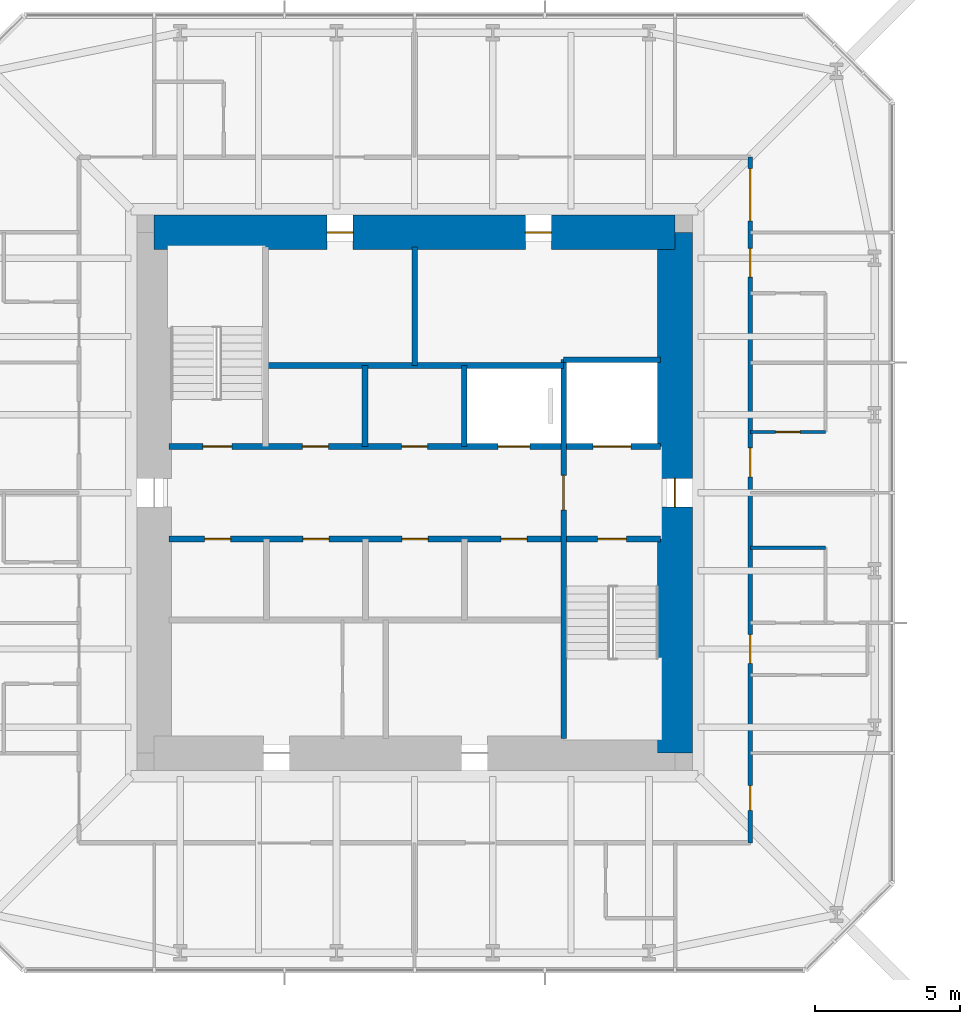
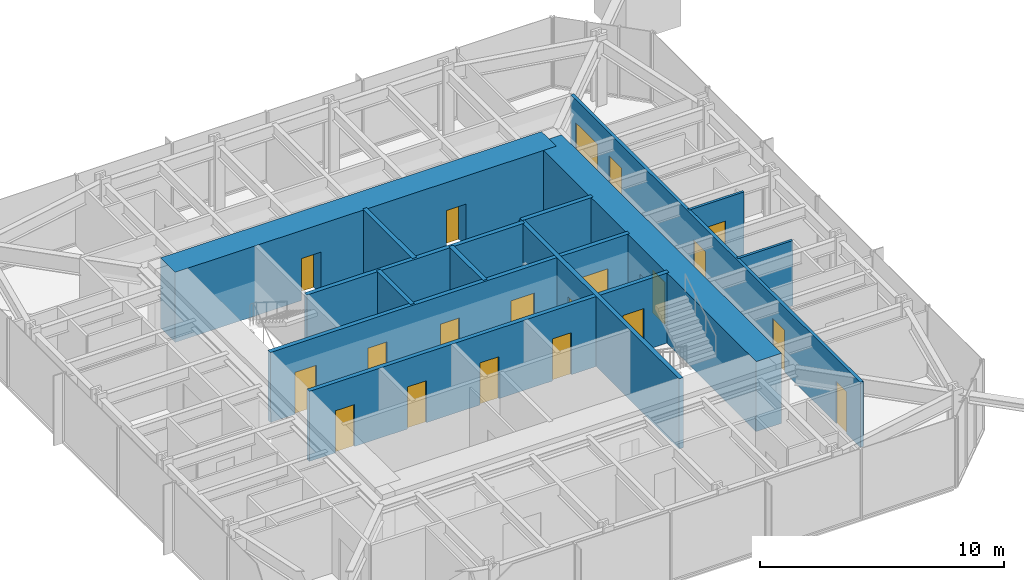
# One storey, part 7 of 9: 20 doors, 13 walls, 20 openings.
"""IFC4 building model written with IfcOpenShell, lengths in metres."""

from ifc_helpers import new_model, si_unit, direction, frame, frame_2d, origin, place, context, subcontext, project, spatial, rectangle, extrude, material, layer, layer_set, type_object, element, fill, save


model = new_model("IFC4")

# Units and contexts
model_context = context("Model", 3, precision=1e-05, world=origin(), true_north=direction((0.0, 1.0)))
body_context = subcontext(model_context, "Body", "Model", "MODEL_VIEW")
ifc_project = project(units=[si_unit("LENGTHUNIT", "METRE"), si_unit("AREAUNIT", "SQUARE_METRE"), si_unit("VOLUMEUNIT", "CUBIC_METRE"), si_unit("PLANEANGLEUNIT", "RADIAN"), si_unit("MASSUNIT", "GRAM", prefix="KILO")], contexts=[model_context])

# Site, building, storey
site_placement = place(None, origin())
site = spatial("IfcSite", under=ifc_project, at=site_placement, CompositionType="ELEMENT")
building_placement = place(site_placement, origin())
building = spatial("IfcBuilding", under=site, at=building_placement, Name="Iwan Alto Co-Living Towers", CompositionType="ELEMENT")
storey_placement = place(building_placement, frame((0.0, 0.0, 264.0)))
storey = spatial("IfcBuildingStorey", under=building, at=storey_placement, Name="L72", CompositionType="ELEMENT", Elevation=264.0)

# Wall, openings, doors
ifc_material_1 = material(Name="Gypsum board")
ifc_layer_1 = layer(ifc_material_1, 0.02490234375, Name="Board", Category="Finish")
ifc_material_2 = material(Name="Steel ASTM A1003 ST33H cold-formed studs", Category="steel")
ifc_layer_2 = layer(ifc_material_2, 0.10009765625, Name="Studs", Category="Framing")
ifc_layer_3 = layer(ifc_material_1, 0.02490234375, Name="Board", Category="Finish")
ifc_layer_set_1 = layer_set([ifc_layer_1, ifc_layer_2, ifc_layer_3], Name="CORRIDOR WALL 150")
wall_type_1 = type_object("IfcWallType", Name="CORRIDOR WALL 150", PredefinedType="PARTITIONING", material=ifc_layer_set_1)
wall_1_placement = place(storey_placement, frame((11.60009765625, -12.10009765625, 0.0), z_axis=(0.0, 0.0, 1.0), x_axis=(0.0, 1.0, 0.0)))
wall_1 = element("IfcWall", 1, at=wall_1_placement, inside=storey, type_object=wall_type_1, Name="Partition L72", PredefinedType="PARTITIONING", context=body_context, shape_type="SweptSolid", body=[
    extrude(rectangle(XDim=23.7001953125, YDim=0.14990234375, at=frame_2d((11.85009765625, 0.0))), origin(), (0.0, 0.0, 1.0), 3.25),
])
opening_1_placement = place(wall_1_placement, frame((6.199951171875, 0.0, 0.0)))
opening_1 = element("IfcOpeningElement", 2, at=opening_1_placement, cuts=wall_1, Name="Opening D3", PredefinedType="OPENING", context=body_context, shape_type="SweptSolid", body=[
    extrude(rectangle(XDim=1.0, YDim=2.10009765625, at=frame_2d((0.5, 1.050048828125))), frame((0.0, 0.0849609375, 0.0), z_axis=(0.0, -1.0, 0.0), x_axis=(1.0, 0.0, 0.0)), (0.0, 0.0, 1.0), 0.169921875),
])
opening_2_placement = place(wall_1_placement, frame((12.64990234375, 0.0, 0.0)))
opening_2 = element("IfcOpeningElement", 3, at=opening_2_placement, cuts=wall_1, Name="Opening D3", PredefinedType="OPENING", context=body_context, shape_type="SweptSolid", body=[
    extrude(rectangle(XDim=1.0, YDim=2.10009765625, at=frame_2d((0.5, 1.050048828125))), frame((0.0, 0.0849609375, 0.0), z_axis=(0.0, -1.0, 0.0), x_axis=(1.0, 0.0, 0.0)), (0.0, 0.0, 1.0), 0.169921875),
])
opening_3_placement = place(wall_1_placement, frame((19.550048828125, 0.0, 0.0)))
opening_3 = element("IfcOpeningElement", 4, at=opening_3_placement, cuts=wall_1, Name="Opening D3", PredefinedType="OPENING", context=body_context, shape_type="SweptSolid", body=[
    extrude(rectangle(XDim=1.0, YDim=2.10009765625, at=frame_2d((0.5, 1.050048828125))), frame((0.0, 0.0849609375, 0.0), z_axis=(0.0, -1.0, 0.0), x_axis=(1.0, 0.0, 0.0)), (0.0, 0.0, 1.0), 0.169921875),
])
opening_4_placement = place(wall_1_placement, frame((21.5, 0.0, 0.0)))
opening_4 = element("IfcOpeningElement", 5, at=opening_4_placement, cuts=wall_1, Name="Opening D9", PredefinedType="OPENING", context=body_context, shape_type="SweptSolid", body=[
    extrude(rectangle(XDim=1.800048828125, YDim=2.10009765625, at=frame_2d((0.89990234375, 1.050048828125))), frame((0.0, 0.0849609375, 0.0), z_axis=(0.0, -1.0, 0.0), x_axis=(1.0, 0.0, 0.0)), (0.0, 0.0, 1.0), 0.169921875),
])
opening_5_placement = place(wall_1_placement, frame((1.125, 0.0, 0.0)))
opening_5 = element("IfcOpeningElement", 6, at=opening_5_placement, cuts=wall_1, Name="Opening D2", PredefinedType="OPENING", context=body_context, shape_type="SweptSolid", body=[
    extrude(rectangle(XDim=0.85009765625, YDim=2.10009765625, at=frame_2d((0.425048828125, 1.050048828125))), frame((0.0, 0.0849609375, 0.0), z_axis=(0.0, -1.0, 0.0), x_axis=(1.0, 0.0, 0.0)), (0.0, 0.0, 1.0), 0.169921875),
])
ifc_material_3 = material(Name="Steel frame with timber leaf", Category="steel")
door_type_1 = type_object("IfcDoorType", Name="FLAT ENTRANCE DOOR FD30S 1000X2100", OperationType="SINGLE_SWING_LEFT", PredefinedType="DOOR", material=ifc_material_3)
door_1_placement = place(opening_1_placement, frame((1.0, 0.0, 0.0), z_axis=(0.0, 0.0, 1.0), x_axis=(-1.0, 0.0, 0.0)))
door_1 = element("IfcDoor", 7, at=door_1_placement, inside=storey, type_object=door_type_1, Name="Apartment foyer door L72", OperationType="SINGLE_SWING_RIGHT", OverallHeight=2.10009765625, OverallWidth=1.0, PredefinedType="DOOR", context=body_context, shape_type="SweptSolid", body=[
    extrude(rectangle(XDim=1.0, YDim=2.10009765625, at=frame_2d((0.5, 1.050048828125))), frame((0.0, 0.02490234375, 0.0), z_axis=(0.0, -1.0, 0.0), x_axis=(1.0, 0.0, 0.0)), (0.0, 0.0, 1.0), 0.050048828125),
])
fill(opening_1, door_1)
door_2_placement = place(opening_2_placement, frame((1.0, 0.0, 0.0), z_axis=(0.0, 0.0, 1.0), x_axis=(-1.0, 0.0, 0.0)))
door_2 = element("IfcDoor", 8, at=door_2_placement, inside=storey, type_object=door_type_1, Name="Studio door L72", OperationType="SINGLE_SWING_RIGHT", OverallHeight=2.10009765625, OverallWidth=1.0, PredefinedType="DOOR", context=body_context, shape_type="SweptSolid", body=[
    extrude(rectangle(XDim=1.0, YDim=2.10009765625, at=frame_2d((0.5, 1.050048828125))), frame((0.0, 0.02490234375, 0.0), z_axis=(0.0, -1.0, 0.0), x_axis=(1.0, 0.0, 0.0)), (0.0, 0.0, 1.0), 0.050048828125),
])
fill(opening_2, door_2)
door_3_placement = place(opening_3_placement, frame((1.0, 0.0, 0.0), z_axis=(0.0, 0.0, 1.0), x_axis=(-1.0, 0.0, 0.0)))
door_3 = element("IfcDoor", 9, at=door_3_placement, inside=storey, type_object=door_type_1, Name="Studio door L72", OperationType="SINGLE_SWING_RIGHT", OverallHeight=2.10009765625, OverallWidth=1.0, PredefinedType="DOOR", context=body_context, shape_type="SweptSolid", body=[
    extrude(rectangle(XDim=1.0, YDim=2.10009765625, at=frame_2d((0.5, 1.050048828125))), frame((0.0, 0.02490234375, 0.0), z_axis=(0.0, -1.0, 0.0), x_axis=(1.0, 0.0, 0.0)), (0.0, 0.0, 1.0), 0.050048828125),
])
fill(opening_3, door_3)
ifc_material_4 = material(Name="Steel frame with timber leaf", Category="steel")
door_type_2 = type_object("IfcDoorType", Name="LOUNGE DOOR FD30S 1800X2100", OperationType="DOUBLE_DOOR_SINGLE_SWING", PredefinedType="DOOR", material=ifc_material_4)
door_4_placement = place(opening_4_placement, frame((1.800048828125, 0.0, 0.0), z_axis=(0.0, 0.0, 1.0), x_axis=(-1.0, 0.0, 0.0)))
door_4 = element("IfcDoor", 10, at=door_4_placement, inside=storey, type_object=door_type_2, Name="Study lounge door L72", OperationType="DOUBLE_DOOR_SINGLE_SWING", OverallHeight=2.10009765625, OverallWidth=1.800048828125, PredefinedType="DOOR", context=body_context, shape_type="SweptSolid", body=[
    extrude(rectangle(XDim=1.800048828125, YDim=2.10009765625, at=frame_2d((0.89990234375, 1.050048828125))), frame((0.0, 0.02490234375, 0.0), z_axis=(0.0, -1.0, 0.0), x_axis=(1.0, 0.0, 0.0)), (0.0, 0.0, 1.0), 0.050048828125),
])
fill(opening_4, door_4)
ifc_material_5 = material(Name="Timber leaf in steel frame", Category="steel")
door_type_3 = type_object("IfcDoorType", Name="ROOM DOOR 850X2100", OperationType="SINGLE_SWING_LEFT", PredefinedType="DOOR", material=ifc_material_5)
door_5_placement = place(opening_5_placement, frame((0.85009765625, 0.0, 0.0), z_axis=(0.0, 0.0, 1.0), x_axis=(-1.0, 0.0, 0.0)))
door_5 = element("IfcDoor", 11, at=door_5_placement, inside=storey, type_object=door_type_3, Name="Shared kitchen and lounge door L72", OperationType="SINGLE_SWING_LEFT", OverallHeight=2.10009765625, OverallWidth=0.85009765625, PredefinedType="DOOR", context=body_context, shape_type="SweptSolid", body=[
    extrude(rectangle(XDim=0.85009765625, YDim=2.10009765625, at=frame_2d((0.425048828125, 1.050048828125))), frame((0.0, 0.02490234375, 0.0), z_axis=(0.0, -1.0, 0.0), x_axis=(1.0, 0.0, 0.0)), (0.0, 0.0, 1.0), 0.050048828125),
])
fill(opening_5, door_5)

ifc_material_6 = material(Name="Concrete f'c 70 MPa", Category="concrete")
ifc_layer_4 = layer(ifc_material_6, 0.199951171875)
ifc_layer_set_2 = layer_set([ifc_layer_4], Name="SHAFT WALL 200")
wall_type_2 = type_object("IfcWallType", Name="SHAFT WALL 200", PredefinedType="SOLIDWALL", material=ifc_layer_set_2)
wall_2_placement = place(storey_placement, frame((-8.489990234375, -1.60009765625, 0.0), z_axis=(0.0, 0.0, 1.0), x_axis=(1.0, 0.0, 0.0)))
wall_2 = element("IfcWall", 12, at=wall_2_placement, inside=storey, type_object=wall_type_2, Name="Shaft wall L72", PredefinedType="SOLIDWALL", context=body_context, shape_type="SweptSolid", body=[
    extrude(rectangle(XDim=16.97998046875, YDim=0.199951171875, at=frame_2d((8.489990234375, 0.0))), origin(), (0.0, 0.0, 1.0), 3.5),
])
opening_6_placement = place(wall_2_placement, frame((14.81005859375, 0.0, 0.0)))
opening_6 = element("IfcOpeningElement", 13, at=opening_6_placement, cuts=wall_2, Name="Opening D5", PredefinedType="OPENING", context=body_context, shape_type="SweptSolid", body=[
    extrude(rectangle(XDim=1.0, YDim=2.10009765625, at=frame_2d((0.5, 1.050048828125))), frame((0.0, 0.10986328125, 0.0), z_axis=(0.0, -1.0, 0.0), x_axis=(1.0, 0.0, 0.0)), (0.0, 0.0, 1.0), 0.219970703125),
])
opening_7_placement = place(wall_2_placement, frame((1.23193359375, 0.0, 0.0)))
opening_7 = element("IfcOpeningElement", 14, at=opening_7_placement, cuts=wall_2, Name="Opening D15", PredefinedType="OPENING", context=body_context, shape_type="SweptSolid", body=[
    extrude(rectangle(XDim=0.89990234375, YDim=2.10009765625, at=frame_2d((0.449951171875, 1.050048828125))), frame((0.0, 0.10986328125, 0.0), z_axis=(0.0, -1.0, 0.0), x_axis=(1.0, 0.0, 0.0)), (0.0, 0.0, 1.0), 0.219970703125),
])
opening_8_placement = place(wall_2_placement, frame((4.626953125, 0.0, 0.0)))
opening_8 = element("IfcOpeningElement", 15, at=opening_8_placement, cuts=wall_2, Name="Opening D15", PredefinedType="OPENING", context=body_context, shape_type="SweptSolid", body=[
    extrude(rectangle(XDim=0.89990234375, YDim=2.10009765625, at=frame_2d((0.449951171875, 1.050048828125))), frame((0.0, 0.10986328125, 0.0), z_axis=(0.0, -1.0, 0.0), x_axis=(1.0, 0.0, 0.0)), (0.0, 0.0, 1.0), 0.219970703125),
])
opening_9_placement = place(wall_2_placement, frame((8.052001953125, 0.0, 0.0)))
opening_9 = element("IfcOpeningElement", 16, at=opening_9_placement, cuts=wall_2, Name="Opening D15", PredefinedType="OPENING", context=body_context, shape_type="SweptSolid", body=[
    extrude(rectangle(XDim=0.89990234375, YDim=2.10009765625, at=frame_2d((0.449951171875, 1.050048828125))), frame((0.0, 0.10986328125, 0.0), z_axis=(0.0, -1.0, 0.0), x_axis=(1.0, 0.0, 0.0)), (0.0, 0.0, 1.0), 0.219970703125),
])
opening_10_placement = place(wall_2_placement, frame((11.47802734375, 0.0, 0.0)))
opening_10 = element("IfcOpeningElement", 17, at=opening_10_placement, cuts=wall_2, Name="Opening D15", PredefinedType="OPENING", context=body_context, shape_type="SweptSolid", body=[
    extrude(rectangle(XDim=0.89990234375, YDim=2.10009765625, at=frame_2d((0.449951171875, 1.050048828125))), frame((0.0, 0.10986328125, 0.0), z_axis=(0.0, -1.0, 0.0), x_axis=(1.0, 0.0, 0.0)), (0.0, 0.0, 1.0), 0.219970703125),
])
ifc_material_7 = material(Name="Steel frame with timber leaf", Category="steel")
door_type_4 = type_object("IfcDoorType", Name="CORE ROOM DOOR FD60S 900X2100", OperationType="SINGLE_SWING_LEFT", PredefinedType="DOOR", material=ifc_material_7)
door_6_placement = place(opening_7_placement, frame((0.89990234375, 0.0, 0.0), z_axis=(0.0, 0.0, 1.0), x_axis=(-1.0, 0.0, 0.0)))
door_6 = element("IfcDoor", 18, at=door_6_placement, inside=storey, type_object=door_type_4, Name="Housekeeping store door L72", OperationType="SINGLE_SWING_LEFT", OverallHeight=2.10009765625, OverallWidth=0.89990234375, PredefinedType="DOOR", context=body_context, shape_type="SweptSolid", body=[
    extrude(rectangle(XDim=0.89990234375, YDim=2.10009765625, at=frame_2d((0.449951171875, 1.050048828125))), frame((0.0, 0.02490234375, 0.0), z_axis=(0.0, -1.0, 0.0), x_axis=(1.0, 0.0, 0.0)), (0.0, 0.0, 1.0), 0.050048828125),
])
fill(opening_7, door_6)
door_7_placement = place(opening_8_placement, frame((0.89990234375, 0.0, 0.0), z_axis=(0.0, 0.0, 1.0), x_axis=(-1.0, 0.0, 0.0)))
door_7 = element("IfcDoor", 19, at=door_7_placement, inside=storey, type_object=door_type_4, Name="Staff WC door L72", OperationType="SINGLE_SWING_RIGHT", OverallHeight=2.10009765625, OverallWidth=0.89990234375, PredefinedType="DOOR", context=body_context, shape_type="SweptSolid", body=[
    extrude(rectangle(XDim=0.89990234375, YDim=2.10009765625, at=frame_2d((0.449951171875, 1.050048828125))), frame((0.0, 0.02490234375, 0.0), z_axis=(0.0, -1.0, 0.0), x_axis=(1.0, 0.0, 0.0)), (0.0, 0.0, 1.0), 0.050048828125),
])
fill(opening_8, door_7)
door_8_placement = place(opening_9_placement, frame((0.89990234375, 0.0, 0.0), z_axis=(0.0, 0.0, 1.0), x_axis=(-1.0, 0.0, 0.0)))
door_8 = element("IfcDoor", 20, at=door_8_placement, inside=storey, type_object=door_type_4, Name="Comms room door L72", OperationType="SINGLE_SWING_RIGHT", OverallHeight=2.10009765625, OverallWidth=0.89990234375, PredefinedType="DOOR", context=body_context, shape_type="SweptSolid", body=[
    extrude(rectangle(XDim=0.89990234375, YDim=2.10009765625, at=frame_2d((0.449951171875, 1.050048828125))), frame((0.0, 0.02490234375, 0.0), z_axis=(0.0, -1.0, 0.0), x_axis=(1.0, 0.0, 0.0)), (0.0, 0.0, 1.0), 0.050048828125),
])
fill(opening_9, door_8)
door_9_placement = place(opening_10_placement, frame((0.89990234375, 0.0, 0.0), z_axis=(0.0, 0.0, 1.0), x_axis=(-1.0, 0.0, 0.0)))
door_9 = element("IfcDoor", 21, at=door_9_placement, inside=storey, type_object=door_type_4, Name="Housekeeping store door L72", OperationType="SINGLE_SWING_RIGHT", OverallHeight=2.10009765625, OverallWidth=0.89990234375, PredefinedType="DOOR", context=body_context, shape_type="SweptSolid", body=[
    extrude(rectangle(XDim=0.89990234375, YDim=2.10009765625, at=frame_2d((0.449951171875, 1.050048828125))), frame((0.0, 0.02490234375, 0.0), z_axis=(0.0, -1.0, 0.0), x_axis=(1.0, 0.0, 0.0)), (0.0, 0.0, 1.0), 0.050048828125),
])
fill(opening_10, door_9)
ifc_material_8 = material(Name="Steel frame with timber leaf", Category="steel")
door_type_5 = type_object("IfcDoorType", Name="STAIR DOOR FD120S 1000X2100", OperationType="SINGLE_SWING_LEFT", PredefinedType="DOOR", material=ifc_material_8)
door_10_placement = place(opening_6_placement, frame((1.0, 0.0, 0.0), z_axis=(0.0, 0.0, 1.0), x_axis=(-1.0, 0.0, 0.0)))
door_10 = element("IfcDoor", 22, at=door_10_placement, inside=storey, type_object=door_type_5, Name="Stair S2 door L72", OperationType="SINGLE_SWING_RIGHT", OverallHeight=2.10009765625, OverallWidth=1.0, PredefinedType="DOOR", context=body_context, shape_type="SweptSolid", body=[
    extrude(rectangle(XDim=1.0, YDim=2.10009765625, at=frame_2d((0.5, 1.050048828125))), frame((0.0, 0.02490234375, 0.0), z_axis=(0.0, -1.0, 0.0), x_axis=(1.0, 0.0, 0.0)), (0.0, 0.0, 1.0), 0.050048828125),
])
fill(opening_6, door_10)

wall_3_placement = place(storey_placement, frame((-8.489990234375, 1.60009765625, 0.0), z_axis=(0.0, 0.0, 1.0), x_axis=(1.0, 0.0, 0.0)))
wall_3 = element("IfcWall", 23, at=wall_3_placement, inside=storey, type_object=wall_type_2, Name="Shaft wall L72", PredefinedType="SOLIDWALL", context=body_context, shape_type="SweptSolid", body=[
    extrude(rectangle(XDim=16.97998046875, YDim=0.199951171875, at=frame_2d((8.489990234375, 0.0))), origin(), (0.0, 0.0, 1.0), 3.5),
])
opening_11_placement = place(wall_3_placement, frame((1.169921875, 0.0, 0.0)))
opening_11 = element("IfcOpeningElement", 24, at=opening_11_placement, cuts=wall_3, Name="Opening D5", PredefinedType="OPENING", context=body_context, shape_type="SweptSolid", body=[
    extrude(rectangle(XDim=1.0, YDim=2.10009765625, at=frame_2d((0.5, 1.050048828125))), frame((0.0, 0.10986328125, 0.0), z_axis=(0.0, -1.0, 0.0), x_axis=(1.0, 0.0, 0.0)), (0.0, 0.0, 1.0), 0.219970703125),
])
opening_12_placement = place(wall_3_placement, frame((4.60595703125, 0.0, 0.0)))
opening_12 = element("IfcOpeningElement", 25, at=opening_12_placement, cuts=wall_3, Name="Opening D15", PredefinedType="OPENING", context=body_context, shape_type="SweptSolid", body=[
    extrude(rectangle(XDim=0.89990234375, YDim=2.10009765625, at=frame_2d((0.449951171875, 1.050048828125))), frame((0.0, 0.10986328125, 0.0), z_axis=(0.0, -1.0, 0.0), x_axis=(1.0, 0.0, 0.0)), (0.0, 0.0, 1.0), 0.219970703125),
])
opening_13_placement = place(wall_3_placement, frame((8.0400390625, 0.0, 0.0)))
opening_13 = element("IfcOpeningElement", 26, at=opening_13_placement, cuts=wall_3, Name="Opening D15", PredefinedType="OPENING", context=body_context, shape_type="SweptSolid", body=[
    extrude(rectangle(XDim=0.89990234375, YDim=2.10009765625, at=frame_2d((0.449951171875, 1.050048828125))), frame((0.0, 0.10986328125, 0.0), z_axis=(0.0, -1.0, 0.0), x_axis=(1.0, 0.0, 0.0)), (0.0, 0.0, 1.0), 0.219970703125),
])
opening_14_placement = place(wall_3_placement, frame((11.3740234375, 0.0, 0.0)))
opening_14 = element("IfcOpeningElement", 27, at=opening_14_placement, cuts=wall_3, Name="Opening LD", PredefinedType="OPENING", context=body_context, shape_type="SweptSolid", body=[
    extrude(rectangle(XDim=1.10009765625, YDim=2.10009765625, at=frame_2d((0.550048828125, 1.050048828125))), frame((0.0, 0.10986328125, 0.0), z_axis=(0.0, -1.0, 0.0), x_axis=(1.0, 0.0, 0.0)), (0.0, 0.0, 1.0), 0.219970703125),
])
opening_15_placement = place(wall_3_placement, frame((14.659912109375, 0.0, 0.0)))
opening_15 = element("IfcOpeningElement", 28, at=opening_15_placement, cuts=wall_3, Name="Opening LD2", PredefinedType="OPENING", context=body_context, shape_type="SweptSolid", body=[
    extrude(rectangle(XDim=1.300048828125, YDim=2.10009765625, at=frame_2d((0.64990234375, 1.050048828125))), frame((0.0, 0.10986328125, 0.0), z_axis=(0.0, -1.0, 0.0), x_axis=(1.0, 0.0, 0.0)), (0.0, 0.0, 1.0), 0.219970703125),
])
door_11_placement = place(opening_12_placement, origin())
door_11 = element("IfcDoor", 29, at=door_11_placement, inside=storey, type_object=door_type_4, Name="Linen store door L72", OperationType="SINGLE_SWING_LEFT", OverallHeight=2.10009765625, OverallWidth=0.89990234375, PredefinedType="DOOR", context=body_context, shape_type="SweptSolid", body=[
    extrude(rectangle(XDim=0.89990234375, YDim=2.10009765625, at=frame_2d((0.449951171875, 1.050048828125))), frame((0.0, 0.02490234375, 0.0), z_axis=(0.0, -1.0, 0.0), x_axis=(1.0, 0.0, 0.0)), (0.0, 0.0, 1.0), 0.050048828125),
])
fill(opening_12, door_11)
door_12_placement = place(opening_13_placement, origin())
door_12 = element("IfcDoor", 30, at=door_12_placement, inside=storey, type_object=door_type_4, Name="Staff WC door L72", OperationType="SINGLE_SWING_LEFT", OverallHeight=2.10009765625, OverallWidth=0.89990234375, PredefinedType="DOOR", context=body_context, shape_type="SweptSolid", body=[
    extrude(rectangle(XDim=0.89990234375, YDim=2.10009765625, at=frame_2d((0.449951171875, 1.050048828125))), frame((0.0, 0.02490234375, 0.0), z_axis=(0.0, -1.0, 0.0), x_axis=(1.0, 0.0, 0.0)), (0.0, 0.0, 1.0), 0.050048828125),
])
fill(opening_13, door_12)
ifc_material_9 = material(Name="Steel frame with timber leaf", Category="steel")
door_type_6 = type_object("IfcDoorType", Name="LIFT LANDING DOOR 1100X2100", OperationType="DOUBLE_DOOR_SLIDING", PredefinedType="DOOR", material=ifc_material_9)
door_13_placement = place(opening_14_placement, origin())
door_13 = element("IfcDoor", 31, at=door_13_placement, inside=storey, type_object=door_type_6, Name="Lift P4-3 landing door L72", OperationType="DOUBLE_DOOR_SLIDING", OverallHeight=2.10009765625, OverallWidth=1.10009765625, PredefinedType="DOOR", context=body_context, shape_type="SweptSolid", body=[
    extrude(rectangle(XDim=1.10009765625, YDim=2.10009765625, at=frame_2d((0.550048828125, 1.050048828125))), frame((0.0, 0.02490234375, 0.0), z_axis=(0.0, -1.0, 0.0), x_axis=(1.0, 0.0, 0.0)), (0.0, 0.0, 1.0), 0.050048828125),
])
fill(opening_14, door_13)
ifc_material_10 = material(Name="Steel frame with timber leaf", Category="steel")
door_type_7 = type_object("IfcDoorType", Name="LIFT LANDING DOOR 1300X2100", OperationType="SLIDING_TO_LEFT", PredefinedType="DOOR", material=ifc_material_10)
door_14_placement = place(opening_15_placement, origin())
door_14 = element("IfcDoor", 32, at=door_14_placement, inside=storey, type_object=door_type_7, Name="Lift FL1 landing door L72", OperationType="SLIDING_TO_LEFT", OverallHeight=2.10009765625, OverallWidth=1.300048828125, PredefinedType="DOOR", context=body_context, shape_type="SweptSolid", body=[
    extrude(rectangle(XDim=1.300048828125, YDim=2.10009765625, at=frame_2d((0.64990234375, 1.050048828125))), frame((0.0, 0.02490234375, 0.0), z_axis=(0.0, -1.0, 0.0), x_axis=(1.0, 0.0, 0.0)), (0.0, 0.0, 1.0), 0.050048828125),
])
fill(opening_15, door_14)
door_15_placement = place(opening_11_placement, origin())
door_15 = element("IfcDoor", 33, at=door_15_placement, inside=storey, type_object=door_type_5, Name="Stair S1 door L72", OperationType="SINGLE_SWING_RIGHT", OverallHeight=2.10009765625, OverallWidth=1.0, PredefinedType="DOOR", context=body_context, shape_type="SweptSolid", body=[
    extrude(rectangle(XDim=1.0, YDim=2.10009765625, at=frame_2d((0.5, 1.050048828125))), frame((0.0, 0.02490234375, 0.0), z_axis=(0.0, -1.0, 0.0), x_axis=(1.0, 0.0, 0.0)), (0.0, 0.0, 1.0), 0.050048828125),
])
fill(opening_11, door_15)

# Walls
wall_4_placement = place(storey_placement, frame((-5.14990234375, 4.39990234375, 0.0), z_axis=(0.0, 0.0, 1.0), x_axis=(1.0, 0.0, 0.0)))
element("IfcWall", 34, at=wall_4_placement, inside=storey, type_object=wall_type_2, Name="Shaft wall L72", PredefinedType="SOLIDWALL", context=body_context, shape_type="SweptSolid", body=[
    extrude(rectangle(XDim=10.2998046875, YDim=0.199951171875, at=frame_2d((5.14990234375, 0.0))), origin(), (0.0, 0.0, 1.0), 3.5),
])
wall_5_placement = place(storey_placement, frame((5.14990234375, 4.60009765625, 0.0), z_axis=(0.0, 0.0, 1.0), x_axis=(1.0, 0.0, 0.0)))
element("IfcWall", 35, at=wall_5_placement, inside=storey, type_object=wall_type_2, Name="Shaft wall L72", PredefinedType="SOLIDWALL", context=body_context, shape_type="SweptSolid", body=[
    extrude(rectangle(XDim=3.340087890625, YDim=0.199951171875, at=frame_2d((1.669921875, 0.0))), origin(), (0.0, 0.0, 1.0), 3.5),
])

# Wall, opening, door
wall_6_placement = place(storey_placement, frame((5.14990234375, -8.489990234375, 0.0), z_axis=(0.0, 0.0, 1.0), x_axis=(0.0, 1.0, 0.0)))
wall_6 = element("IfcWall", 36, at=wall_6_placement, inside=storey, type_object=wall_type_2, Name="Shaft wall L72", PredefinedType="SOLIDWALL", context=body_context, shape_type="SweptSolid", body=[
    extrude(rectangle(XDim=13.090087890625, YDim=0.199951171875, at=frame_2d((6.544921875, 0.0))), origin(), (0.0, 0.0, 1.0), 3.5),
])
opening_16_placement = place(wall_6_placement, frame((7.889892578125, 0.0, 0.0)))
opening_16 = element("IfcOpeningElement", 37, at=opening_16_placement, cuts=wall_6, Name="Opening D6", PredefinedType="OPENING", context=body_context, shape_type="SweptSolid", body=[
    extrude(rectangle(XDim=1.199951171875, YDim=2.10009765625, at=frame_2d((0.60009765625, 1.050048828125))), frame((0.0, 0.10986328125, 0.0), z_axis=(0.0, -1.0, 0.0), x_axis=(1.0, 0.0, 0.0)), (0.0, 0.0, 1.0), 0.219970703125),
])
ifc_material_11 = material(Name="Steel frame with timber leaf", Category="steel")
door_type_8 = type_object("IfcDoorType", Name="LOBBY DOOR FD120S 1200X2100", OperationType="SINGLE_SWING_LEFT", PredefinedType="DOOR", material=ifc_material_11)
door_16_placement = place(opening_16_placement, frame((1.199951171875, 0.0, 0.0), z_axis=(0.0, 0.0, 1.0), x_axis=(-1.0, 0.0, 0.0)))
door_16 = element("IfcDoor", 38, at=door_16_placement, inside=storey, type_object=door_type_8, Name="Firefighting lobby door L72", OperationType="SINGLE_SWING_RIGHT", OverallHeight=2.10009765625, OverallWidth=1.199951171875, PredefinedType="DOOR", context=body_context, shape_type="SweptSolid", body=[
    extrude(rectangle(XDim=1.199951171875, YDim=2.10009765625, at=frame_2d((0.60009765625, 1.050048828125))), frame((0.0, 0.02490234375, 0.0), z_axis=(0.0, -1.0, 0.0), x_axis=(1.0, 0.0, 0.0)), (0.0, 0.0, 1.0), 0.050048828125),
])
fill(opening_16, door_16)

# Walls
wall_7_placement = place(storey_placement, frame((1.717041015625, 1.60009765625, 0.0), z_axis=(0.0, 0.0, 1.0), x_axis=(0.0, 1.0, 0.0)))
element("IfcWall", 39, at=wall_7_placement, inside=storey, type_object=wall_type_2, Name="Shaft wall L72", PredefinedType="SOLIDWALL", context=body_context, shape_type="SweptSolid", body=[
    extrude(rectangle(XDim=2.7998046875, YDim=0.199951171875, at=frame_2d((1.39990234375, 0.0))), origin(), (0.0, 0.0, 1.0), 3.5),
])
wall_8_placement = place(storey_placement, frame((0.0, 4.39990234375, 0.0), z_axis=(0.0, 0.0, 1.0), x_axis=(0.0, 1.0, 0.0)))
element("IfcWall", 40, at=wall_8_placement, inside=storey, type_object=wall_type_2, Name="Shaft wall L72", PredefinedType="SOLIDWALL", context=body_context, shape_type="SweptSolid", body=[
    extrude(rectangle(XDim=4.090087890625, YDim=0.199951171875, at=frame_2d((2.044921875, 0.0))), origin(), (0.0, 0.0, 1.0), 3.5),
])
wall_9_placement = place(storey_placement, frame((-1.717041015625, 1.60009765625, 0.0), z_axis=(0.0, 0.0, 1.0), x_axis=(0.0, 1.0, 0.0)))
element("IfcWall", 41, at=wall_9_placement, inside=storey, type_object=wall_type_2, Name="Shaft wall L72", PredefinedType="SOLIDWALL", context=body_context, shape_type="SweptSolid", body=[
    extrude(rectangle(XDim=2.7998046875, YDim=0.199951171875, at=frame_2d((1.39990234375, 0.0))), origin(), (0.0, 0.0, 1.0), 3.5),
])

# Wall, openings, doors
ifc_material_12 = material(Name="Concrete f'c 70 MPa", Category="concrete")
ifc_layer_5 = layer(ifc_material_12, 1.199951171875)
ifc_layer_set_3 = layer_set([ifc_layer_5], Name="T1 CORE WALL 1200")
wall_type_3 = type_object("IfcWallType", Name="T1 CORE WALL 1200", PredefinedType="SHEAR", material=ifc_layer_set_3)
wall_10_placement = place(storey_placement, frame((9.0, 9.0, 0.0), z_axis=(0.0, 0.0, 1.0), x_axis=(-1.0, 0.0, 0.0)))
wall_10 = element("IfcWall", 42, at=wall_10_placement, inside=storey, type_object=wall_type_3, Name="T1 core wall N L72", PredefinedType="SHEAR", context=body_context, shape_type="SweptSolid", body=[
    extrude(rectangle(XDim=18.0, YDim=1.199951171875, at=frame_2d((9.0, 0.0))), origin(), (0.0, 0.0, 1.0), 3.5),
])
opening_17_placement = place(wall_10_placement, frame((11.125, 0.0, 0.0)))
opening_17 = element("IfcOpeningElement", 43, at=opening_17_placement, cuts=wall_10, Name="Opening D8", PredefinedType="OPENING", context=body_context, shape_type="SweptSolid", body=[
    extrude(rectangle(XDim=0.89990234375, YDim=2.10009765625, at=frame_2d((0.449951171875, 1.050048828125))), frame((0.0, 0.60986328125, 0.0), z_axis=(0.0, -1.0, 0.0), x_axis=(1.0, 0.0, 0.0)), (0.0, 0.0, 1.0), 1.219970703125),
])
opening_18_placement = place(wall_10_placement, frame((4.27490234375, 0.0, 0.0)))
opening_18 = element("IfcOpeningElement", 44, at=opening_18_placement, cuts=wall_10, Name="Opening D8", PredefinedType="OPENING", context=body_context, shape_type="SweptSolid", body=[
    extrude(rectangle(XDim=0.89990234375, YDim=2.10009765625, at=frame_2d((0.449951171875, 1.050048828125))), frame((0.0, 0.60986328125, 0.0), z_axis=(0.0, -1.0, 0.0), x_axis=(1.0, 0.0, 0.0)), (0.0, 0.0, 1.0), 1.219970703125),
])
ifc_material_13 = material(Name="Steel frame with timber leaf", Category="steel")
door_type_9 = type_object("IfcDoorType", Name="RISER DOOR FD120 900X2100", OperationType="SINGLE_SWING_LEFT", PredefinedType="DOOR", material=ifc_material_13)
door_17_placement = place(opening_17_placement, origin())
door_17 = element("IfcDoor", 45, at=door_17_placement, inside=storey, type_object=door_type_9, Name="Electrical riser core door L72", OperationType="SINGLE_SWING_RIGHT", OverallHeight=2.10009765625, OverallWidth=0.89990234375, PredefinedType="DOOR", context=body_context, shape_type="SweptSolid", body=[
    extrude(rectangle(XDim=0.89990234375, YDim=2.10009765625, at=frame_2d((0.449951171875, 1.050048828125))), frame((0.0, 0.02490234375, 0.0), z_axis=(0.0, -1.0, 0.0), x_axis=(1.0, 0.0, 0.0)), (0.0, 0.0, 1.0), 0.050048828125),
])
fill(opening_17, door_17)
door_18_placement = place(opening_18_placement, origin())
door_18 = element("IfcDoor", 46, at=door_18_placement, inside=storey, type_object=door_type_9, Name="Water and drainage riser core door L72", OperationType="SINGLE_SWING_RIGHT", OverallHeight=2.10009765625, OverallWidth=0.89990234375, PredefinedType="DOOR", context=body_context, shape_type="SweptSolid", body=[
    extrude(rectangle(XDim=0.89990234375, YDim=2.10009765625, at=frame_2d((0.449951171875, 1.050048828125))), frame((0.0, 0.02490234375, 0.0), z_axis=(0.0, -1.0, 0.0), x_axis=(1.0, 0.0, 0.0)), (0.0, 0.0, 1.0), 0.050048828125),
])
fill(opening_18, door_18)

# Wall, opening, door
wall_11_placement = place(storey_placement, frame((9.0, -9.0, 0.0), z_axis=(0.0, 0.0, 1.0), x_axis=(0.0, 1.0, 0.0)))
wall_11 = element("IfcWall", 47, at=wall_11_placement, inside=storey, type_object=wall_type_3, Name="T1 core wall E L72", PredefinedType="SHEAR", context=body_context, shape_type="SweptSolid", body=[
    extrude(rectangle(XDim=18.0, YDim=1.199951171875, at=frame_2d((9.0, 0.0))), origin(), (0.0, 0.0, 1.0), 3.5),
])
opening_19_placement = place(wall_11_placement, frame((8.5, 0.0, 0.0)))
opening_19 = element("IfcOpeningElement", 48, at=opening_19_placement, cuts=wall_11, Name="Opening D7", PredefinedType="OPENING", context=body_context, shape_type="SweptSolid", body=[
    extrude(rectangle(XDim=1.0, YDim=2.10009765625, at=frame_2d((0.5, 1.050048828125))), frame((0.0, 0.60986328125, 0.0), z_axis=(0.0, -1.0, 0.0), x_axis=(1.0, 0.0, 0.0)), (0.0, 0.0, 1.0), 1.219970703125),
])
ifc_material_14 = material(Name="Steel frame with timber leaf", Category="steel")
door_type_10 = type_object("IfcDoorType", Name="CORE DOOR FD120S 1000X2100", OperationType="SINGLE_SWING_LEFT", PredefinedType="DOOR", material=ifc_material_14)
door_19_placement = place(opening_19_placement, origin())
door_19 = element("IfcDoor", 49, at=door_19_placement, inside=storey, type_object=door_type_10, Name="Firefighting lobby core door L72", OperationType="SINGLE_SWING_LEFT", OverallHeight=2.10009765625, OverallWidth=1.0, PredefinedType="DOOR", context=body_context, shape_type="SweptSolid", body=[
    extrude(rectangle(XDim=1.0, YDim=2.10009765625, at=frame_2d((0.5, 1.050048828125))), frame((0.0, 0.02490234375, 0.0), z_axis=(0.0, -1.0, 0.0), x_axis=(1.0, 0.0, 0.0)), (0.0, 0.0, 1.0), 0.050048828125),
])
fill(opening_19, door_19)

# Wall
ifc_material_15 = material(Name="Cement board")
ifc_layer_6 = layer(ifc_material_15, 0.012451171875, Name="Board", Category="Finish")
ifc_layer_7 = layer(ifc_material_2, 0.094970703125, Name="Studs", Category="Framing")
ifc_layer_8 = layer(ifc_material_15, 0.012451171875, Name="Board", Category="Finish")
ifc_layer_set_4 = layer_set([ifc_layer_6, ifc_layer_7, ifc_layer_8], Name="WET AREA PARTITION 120")
wall_type_4 = type_object("IfcWallType", Name="WET AREA PARTITION 120", PredefinedType="PARTITIONING", material=ifc_layer_set_4)
wall_12_placement = place(storey_placement, frame((11.60009765625, -1.89990234375, 0.0), z_axis=(0.0, 0.0, 1.0), x_axis=(1.0, 0.0, 0.0)))
element("IfcWall", 50, at=wall_12_placement, inside=storey, type_object=wall_type_4, Name="Partition L72", PredefinedType="PARTITIONING", context=body_context, shape_type="SweptSolid", body=[
    extrude(rectangle(XDim=2.599853515625, YDim=0.1201171875, at=frame_2d((1.2998046875, 0.0))), origin(), (0.0, 0.0, 1.0), 3.25),
])

# Wall, opening, door
wall_13_placement = place(storey_placement, frame((11.60009765625, 2.10009765625, 0.0), z_axis=(0.0, 0.0, 1.0), x_axis=(1.0, 0.0, 0.0)))
wall_13 = element("IfcWall", 51, at=wall_13_placement, inside=storey, type_object=wall_type_4, Name="Partition L72", PredefinedType="PARTITIONING", context=body_context, shape_type="SweptSolid", body=[
    extrude(rectangle(XDim=2.599853515625, YDim=0.1201171875, at=frame_2d((1.2998046875, 0.0))), origin(), (0.0, 0.0, 1.0), 3.25),
])
opening_20_placement = place(wall_13_placement, frame((0.875, 0.0, 0.0)))
opening_20 = element("IfcOpeningElement", 52, at=opening_20_placement, cuts=wall_13, Name="Opening D2", PredefinedType="OPENING", context=body_context, shape_type="SweptSolid", body=[
    extrude(rectangle(XDim=0.85009765625, YDim=2.10009765625, at=frame_2d((0.425048828125, 1.050048828125))), frame((0.0, 0.070068359375, 0.0), z_axis=(0.0, -1.0, 0.0), x_axis=(1.0, 0.0, 0.0)), (0.0, 0.0, 1.0), 0.14013671875),
])
door_20_placement = place(opening_20_placement, frame((0.85009765625, 0.0, 0.0), z_axis=(0.0, 0.0, 1.0), x_axis=(-1.0, 0.0, 0.0)))
door_20 = element("IfcDoor", 53, at=door_20_placement, inside=storey, type_object=door_type_3, Name="En-suite shower room door L72", OperationType="SINGLE_SWING_RIGHT", OverallHeight=2.10009765625, OverallWidth=0.85009765625, PredefinedType="DOOR", context=body_context, shape_type="SweptSolid", body=[
    extrude(rectangle(XDim=0.85009765625, YDim=2.10009765625, at=frame_2d((0.425048828125, 1.050048828125))), frame((0.0, 0.02490234375, 0.0), z_axis=(0.0, -1.0, 0.0), x_axis=(1.0, 0.0, 0.0)), (0.0, 0.0, 1.0), 0.050048828125),
])
fill(opening_20, door_20)

save(model, "model.ifc")
